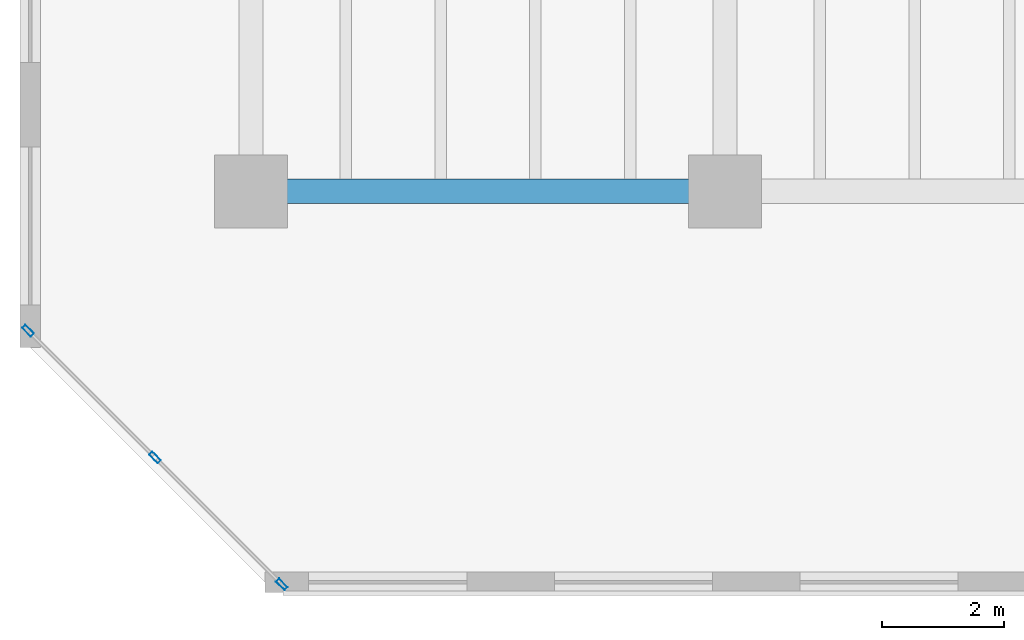
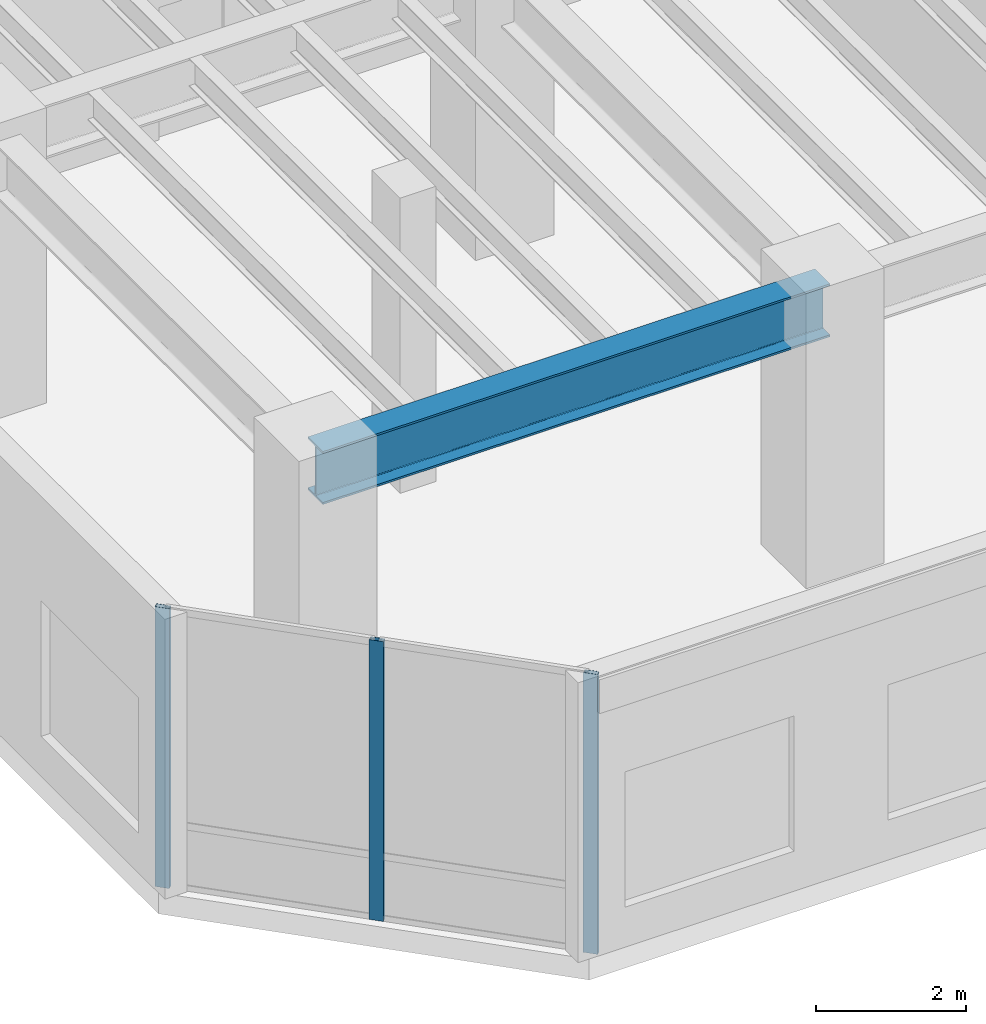
# One storey, part 2 of 17: 3 members, 1 beam, 1 element without a shape of its own.
"""IFC4 building model written with IfcOpenShell, lengths in metres."""

from ifc_helpers import new_model, si_unit, direction, frame, origin, origin_2d, place, context, subcontext, project, spatial, hollow_rectangle, i_section, extrude, material, layer, layer_set, material_profile, profile_set, type_object, element, aggregate, save


model = new_model("IFC4")

# Units and contexts
model_context = context("Model", 3, precision=1e-05, world=origin(), true_north=direction((0.0, 1.0)))
body_context = subcontext(model_context, "Body", "Model", "MODEL_VIEW")
ifc_project = project(units=[si_unit("LENGTHUNIT", "METRE"), si_unit("AREAUNIT", "SQUARE_METRE"), si_unit("VOLUMEUNIT", "CUBIC_METRE"), si_unit("PLANEANGLEUNIT", "RADIAN"), si_unit("MASSUNIT", "GRAM", prefix="KILO")], contexts=[model_context])

# Site, building, storey
site_placement = place(None, origin())
site = spatial("IfcSite", under=ifc_project, at=site_placement, CompositionType="ELEMENT")
building_placement = place(site_placement, origin())
building = spatial("IfcBuilding", under=site, at=building_placement, Name="Kestravale Grand Hotel", CompositionType="ELEMENT")
storey_placement = place(building_placement, frame((0.0, 0.0, 129.800048828125)))
storey = spatial("IfcBuildingStorey", under=building, at=storey_placement, Name="L32", CompositionType="ELEMENT", Elevation=129.800048828125)

# Beam
ifc_material_1 = material(Name="Steel ASTM A992 Grade 50", Category="steel")
ifc_material_profile_1 = material_profile(ifc_material_1, i_section(OverallWidth=0.40087890625, OverallDepth=0.861083984375, WebThickness=0.019775390625, FlangeThickness=0.032470703125, FilletRadius=0.0234375, at=origin_2d()))
ifc_profile_set_1 = profile_set([ifc_material_profile_1], Name="Steel ASTM A992 Grade 50")
beam_type = type_object("IfcBeamType", Name="B-GRD-W33", PredefinedType="BEAM", material=ifc_profile_set_1)
beam_placement = place(storey_placement, frame((7.800048828125, 11.199951171875, 4.079345703125), z_axis=(1.0, 0.0, 0.0), x_axis=(0.0, 1.0, 0.0)))
element("IfcBeam", 1, at=beam_placement, inside=storey, type_object=beam_type, Name="L32 girder C:2-3", PredefinedType="BEAM", context=body_context, shape_type="SweptSolid", body=[
    extrude(i_section(OverallWidth=0.40087890625, OverallDepth=0.861083984375, WebThickness=0.019775390625, FlangeThickness=0.032470703125, FilletRadius=0.0234375, at=origin_2d()), origin(), (0.0, 0.0, 1.0), 7.800048828125),
])

# Curtain wall, members
ifc_material_2 = material(Name="Thermally broken champagne-bronze aluminium and low-E glazing", Category="aluminium")
ifc_layer = layer(ifc_material_2, 0.199951171875)
ifc_layer_set = layer_set([ifc_layer], Name="CW-Z2")
curtain_wall_type = type_object("IfcCurtainWallType", Name="CW-Z2", PredefinedType="NOTDEFINED", material=ifc_layer_set)
curtain_wall_placement = place(storey_placement, origin())
curtain_wall = element("IfcCurtainWall", 2, at=curtain_wall_placement, inside=storey, type_object=curtain_wall_type, Name="L32 unitised curtain wall 20", PredefinedType="NOTDEFINED")
ifc_material_3 = material(Name="Aluminium 6063-T6 anodised", Category="aluminium")
ifc_material_profile_2 = material_profile(ifc_material_3, hollow_rectangle(XDim=0.074951171875, YDim=0.199951171875, WallThickness=0.00390625, at=origin_2d()))
ifc_profile_set_2 = profile_set([ifc_material_profile_2], Name="Aluminium 6063-T6 anodised")
member_type = type_object("IfcMemberType", Name="CW-MUL-200", PredefinedType="MULLION", material=ifc_profile_set_2)
member_1_placement = place(storey_placement, frame((4.132568359375, 8.907958984375, 0.0), z_axis=(0.0, 0.0, 1.0), x_axis=(0.707106781187, 0.707106781187, 0.0)))
member_1 = element("IfcMember", 3, at=member_1_placement, type_object=member_type, Name="CW-Z2 mullion 1", PredefinedType="MULLION", context=body_context, shape_type="SweptSolid", body=[
    extrude(hollow_rectangle(XDim=0.074951171875, YDim=0.199951171875, WallThickness=0.00390625, at=origin_2d()), origin(), (0.0, 0.0, 1.0), 4.550048828125),
])
member_2_placement = place(storey_placement, frame((6.22021484375, 6.8203125, 0.0), z_axis=(0.0, 0.0, 1.0), x_axis=(0.707106781187, 0.707106781187, 0.0)))
member_2 = element("IfcMember", 4, at=member_2_placement, type_object=member_type, Name="CW-Z2 mullion 2", PredefinedType="MULLION", context=body_context, shape_type="SweptSolid", body=[
    extrude(hollow_rectangle(XDim=0.074951171875, YDim=0.199951171875, WallThickness=0.00390625, at=origin_2d()), origin(), (0.0, 0.0, 1.0), 4.550048828125),
])
member_3_placement = place(storey_placement, frame((8.307861328125, 4.732421875, 0.0), z_axis=(0.0, 0.0, 1.0), x_axis=(0.707106781187, 0.707106781187, 0.0)))
member_3 = element("IfcMember", 5, at=member_3_placement, type_object=member_type, Name="CW-Z2 mullion 3", PredefinedType="MULLION", context=body_context, shape_type="SweptSolid", body=[
    extrude(hollow_rectangle(XDim=0.074951171875, YDim=0.199951171875, WallThickness=0.00390625, at=origin_2d()), origin(), (0.0, 0.0, 1.0), 4.550048828125),
])
aggregate(curtain_wall, [member_1, member_2, member_3])

save(model, "model.ifc")
